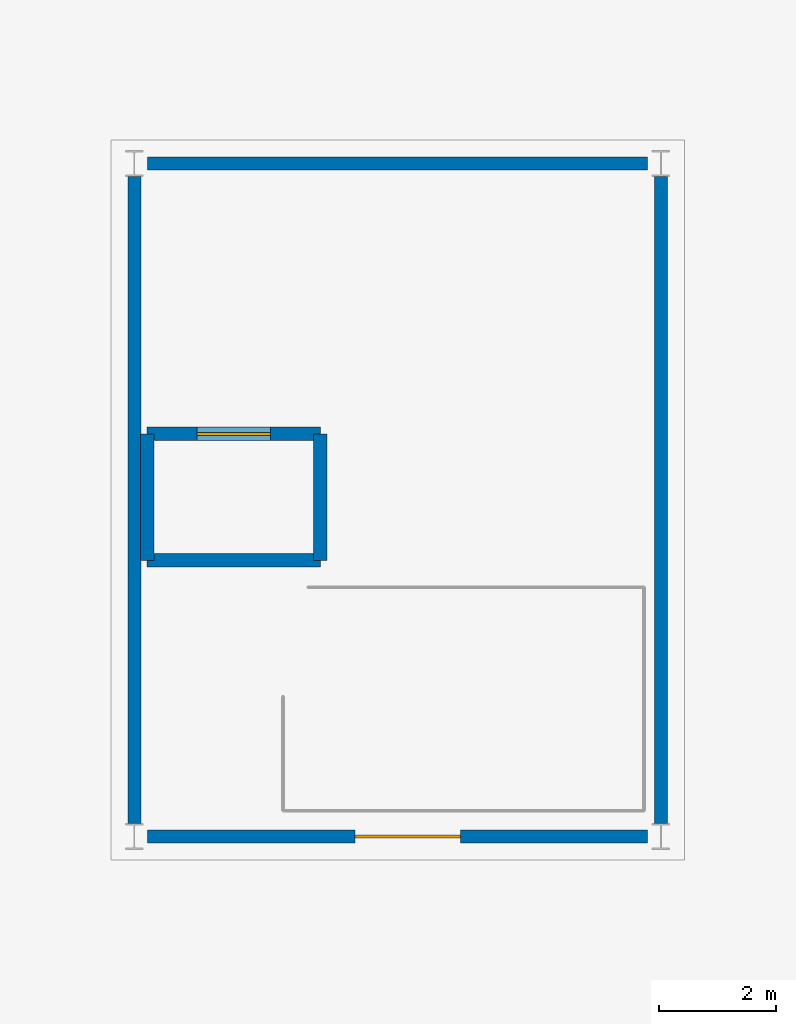
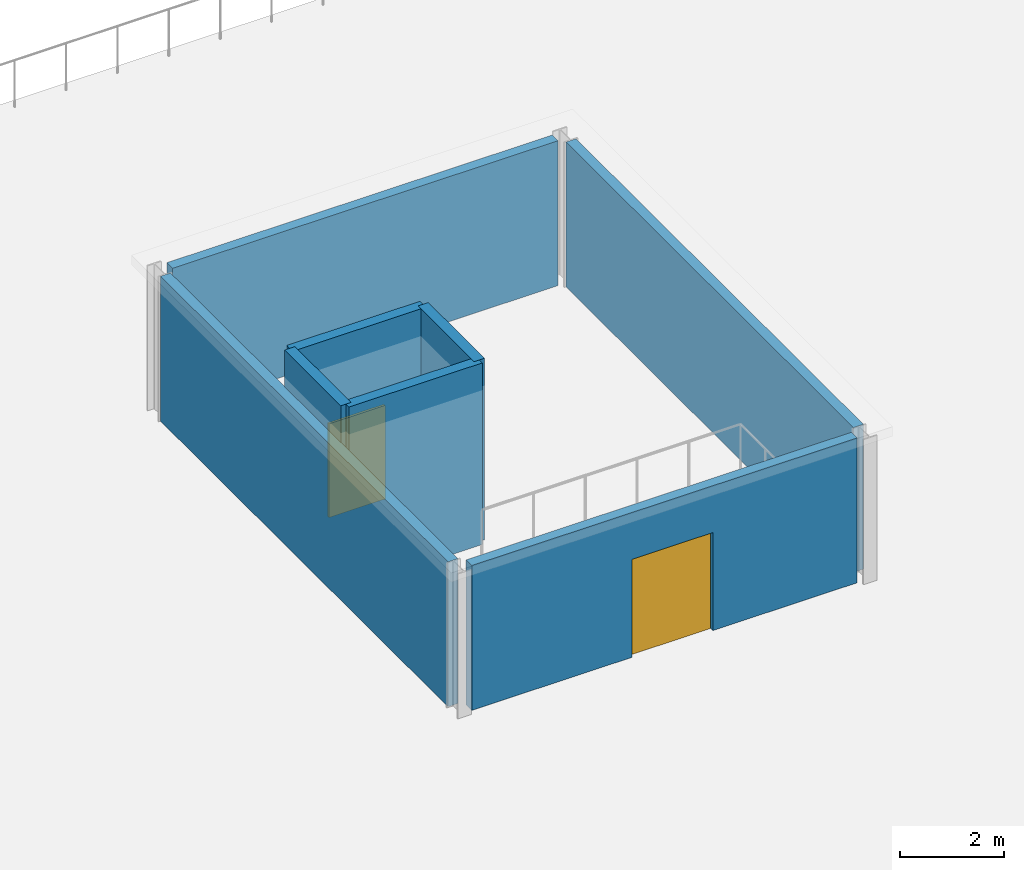
# One storey, part 62 of 105: 8 walls, 2 doors, 2 openings.
"""IFC4 building model written with IfcOpenShell, lengths in metres."""

from ifc_helpers import new_model, si_unit, direction, frame, frame_2d, origin, place, context, subcontext, project, spatial, rectangle, extrude, material, layer, layer_set, type_object, element, fill, save


model = new_model("IFC4")

# Units and contexts
model_context = context("Model", 3, precision=1e-05, world=origin(), true_north=direction((0.0, 1.0)))
body_context = subcontext(model_context, "Body", "Model", "MODEL_VIEW")
ifc_project = project(units=[si_unit("LENGTHUNIT", "METRE"), si_unit("AREAUNIT", "SQUARE_METRE"), si_unit("VOLUMEUNIT", "CUBIC_METRE"), si_unit("PLANEANGLEUNIT", "RADIAN"), si_unit("MASSUNIT", "GRAM", prefix="KILO")], contexts=[model_context])

# Site, building, storey
site_placement = place(None, origin())
site = spatial("IfcSite", under=ifc_project, at=site_placement, CompositionType="ELEMENT")
building_placement = place(site_placement, origin())
building = spatial("IfcBuilding", under=site, at=building_placement, Name="Marlcrest Central Station", CompositionType="ELEMENT")
storey_placement = place(building_placement, frame((0.0, 0.0, 15.0)))
storey = spatial("IfcBuildingStorey", under=building, at=storey_placement, Name="L03", CompositionType="ELEMENT", Elevation=15.0)

# Wall, opening, door
ifc_material_1 = material(Name="Precast concrete C40/50", Category="concrete")
ifc_layer_1 = layer(ifc_material_1, 0.219970703125, Name="EW-05")
ifc_layer_set_1 = layer_set([ifc_layer_1], Name="Precast concrete C40/50")
wall_type_1 = type_object("IfcWallType", Name="EW-05", PredefinedType="SOLIDWALL", material=ifc_layer_set_1)
wall_1_placement = place(storey_placement, frame((179.77490234375, 11.0, 0.0), z_axis=(0.0, 0.0, 1.0), x_axis=(-1.0, 0.0, 0.0)))
wall_1 = element("IfcWall", 1, at=wall_1_placement, inside=storey, type_object=wall_type_1, Name="ewall-L03-0090", PredefinedType="SOLIDWALL", context=body_context, shape_type="SweptSolid", body=[
    extrude(rectangle(XDim=8.5498046875, YDim=0.219970703125, at=frame_2d((4.27490234375, 0.0))), origin(), (0.0, 0.0, 1.0), 3.39990234375),
])
opening_1_placement = place(wall_1_placement, frame((3.199951171875, 0.0, 0.0)))
opening_1 = element("IfcOpeningElement", 2, at=opening_1_placement, cuts=wall_1, Name="Opening ED-03", PredefinedType="OPENING", context=body_context, shape_type="SweptSolid", body=[
    extrude(rectangle(XDim=1.800048828125, YDim=2.300048828125, at=frame_2d((0.89990234375, 1.14990234375))), frame((0.0, 0.119873046875, 0.0), z_axis=(0.0, -1.0, 0.0), x_axis=(1.0, 0.0, 0.0)), (0.0, 0.0, 1.0), 0.239990234375),
])
ifc_material_2 = material(Name="Thermally broken anodised aluminium and laminated safety glass", Category="aluminium")
door_type_1 = type_object("IfcDoorType", Name="ED-03", OperationType="DOUBLE_DOOR_SINGLE_SWING", PredefinedType="DOOR", material=ifc_material_2)
door_1_placement = place(opening_1_placement, origin())
door_1 = element("IfcDoor", 3, at=door_1_placement, inside=storey, type_object=door_type_1, Name="Planted Dining Terrace Access Door 030", OperationType="DOUBLE_DOOR_SINGLE_SWING", OverallHeight=2.300048828125, OverallWidth=1.800048828125, PredefinedType="DOOR", context=body_context, shape_type="SweptSolid", body=[
    extrude(rectangle(XDim=1.800048828125, YDim=2.300048828125, at=frame_2d((0.89990234375, 1.14990234375))), frame((0.0, 0.02490234375, 0.0), z_axis=(0.0, -1.0, 0.0), x_axis=(1.0, 0.0, 0.0)), (0.0, 0.0, 1.0), 0.050048828125),
])
fill(opening_1, door_1)

# Walls
wall_2_placement = place(storey_placement, frame((171.0, 11.22509765625, 0.0), z_axis=(0.0, 0.0, 1.0), x_axis=(0.0, 1.0, 0.0)))
element("IfcWall", 4, at=wall_2_placement, inside=storey, type_object=wall_type_1, Name="ewall-L03-0091", PredefinedType="SOLIDWALL", context=body_context, shape_type="SweptSolid", body=[
    extrude(rectangle(XDim=11.0498046875, YDim=0.219970703125, at=frame_2d((5.52490234375, 0.0))), origin(), (0.0, 0.0, 1.0), 3.39990234375),
])
wall_3_placement = place(storey_placement, frame((171.22509765625, 22.5, 0.0), z_axis=(0.0, 0.0, 1.0), x_axis=(1.0, 0.0, 0.0)))
element("IfcWall", 5, at=wall_3_placement, inside=storey, type_object=wall_type_1, Name="ewall-L03-0092", PredefinedType="SOLIDWALL", context=body_context, shape_type="SweptSolid", body=[
    extrude(rectangle(XDim=8.5498046875, YDim=0.219970703125, at=frame_2d((4.27490234375, 0.0))), origin(), (0.0, 0.0, 1.0), 3.39990234375),
])
wall_4_placement = place(storey_placement, frame((180.0, 22.27490234375, 0.0), z_axis=(0.0, 0.0, 1.0), x_axis=(0.0, -1.0, 0.0)))
element("IfcWall", 6, at=wall_4_placement, inside=storey, type_object=wall_type_1, Name="ewall-L03-0093", PredefinedType="SOLIDWALL", context=body_context, shape_type="SweptSolid", body=[
    extrude(rectangle(XDim=11.0498046875, YDim=0.219970703125, at=frame_2d((5.52490234375, 0.0))), origin(), (0.0, 0.0, 1.0), 3.39990234375),
])

# Wall, opening, door
ifc_material_3 = material(Name="Concrete C40/50", Category="concrete")
ifc_layer_2 = layer(ifc_material_3, 0.22998046875, Name="SHW-01")
ifc_layer_set_2 = layer_set([ifc_layer_2], Name="Concrete C40/50")
wall_type_2 = type_object("IfcWallType", Name="SHW-01", PredefinedType="SOLIDWALL", material=ifc_layer_set_2)
wall_5_placement = place(storey_placement, frame((171.219970703125, 17.8798828125, 0.0), z_axis=(0.0, 0.0, 1.0), x_axis=(1.0, 0.0, 0.0)))
wall_5 = element("IfcWall", 7, at=wall_5_placement, inside=storey, type_object=wall_type_2, Name="iwall-L03-00327", PredefinedType="SOLIDWALL", context=body_context, shape_type="SweptSolid", body=[
    extrude(rectangle(XDim=2.9599609375, YDim=0.22998046875, at=frame_2d((1.47998046875, 0.0))), origin(), (0.0, 0.0, 1.0), 4.260009765625),
])
opening_2_placement = place(wall_5_placement, frame((0.85498046875, 0.0, 0.0)))
opening_2 = element("IfcOpeningElement", 8, at=opening_2_placement, cuts=wall_5, Name="Opening LD-02", PredefinedType="OPENING", context=body_context, shape_type="SweptSolid", body=[
    extrude(rectangle(XDim=1.25, YDim=2.199951171875, at=frame_2d((0.625, 1.10009765625))), frame((0.0, 0.125, 0.0), z_axis=(0.0, -1.0, 0.0), x_axis=(1.0, 0.0, 0.0)), (0.0, 0.0, 1.0), 0.25),
])
ifc_material_4 = material(Name="Stainless steel stretcher/firefighting lift landing door", Category="steel")
door_type_2 = type_object("IfcDoorType", Name="LD-02", OperationType="DOUBLE_DOOR_SLIDING", PredefinedType="DOOR", material=ifc_material_4)
door_2_placement = place(opening_2_placement, origin())
door_2 = element("IfcDoor", 9, at=door_2_placement, inside=storey, type_object=door_type_2, Name="LF-R1 Lift Landing Door 0152", OperationType="DOUBLE_DOOR_SLIDING", OverallHeight=2.199951171875, OverallWidth=1.25, PredefinedType="DOOR", context=body_context, shape_type="SweptSolid", body=[
    extrude(rectangle(XDim=1.25, YDim=2.199951171875, at=frame_2d((0.625, 1.10009765625))), frame((0.0, 0.02490234375, 0.0), z_axis=(0.0, -1.0, 0.0), x_axis=(1.0, 0.0, 0.0)), (0.0, 0.0, 1.0), 0.050048828125),
])
fill(opening_2, door_2)

# Walls
wall_6_placement = place(storey_placement, frame((174.179931640625, 15.719970703125, 0.0), z_axis=(0.0, 0.0, 1.0), x_axis=(-1.0, 0.0, 0.0)))
element("IfcWall", 10, at=wall_6_placement, inside=storey, type_object=wall_type_2, Name="iwall-L03-00328", PredefinedType="SOLIDWALL", context=body_context, shape_type="SweptSolid", body=[
    extrude(rectangle(XDim=2.9599609375, YDim=0.22998046875, at=frame_2d((1.47998046875, 0.0))), origin(), (0.0, 0.0, 1.0), 4.260009765625),
])
for number, where, z_axis, x_axis, name in (
    (11, (171.219970703125, 15.719970703125, 0.0), (0.0, 0.0, 1.0), (0.0, 1.0, 0.0), "iwall-L03-00329"),
    (12, (174.179931640625, 17.8798828125, 0.0), (0.0, 0.0, 1.0), (0.0, -1.0, 0.0), "iwall-L03-00330"),
):
    element("IfcWall", number, at=place(storey_placement, frame(where, z_axis=z_axis, x_axis=x_axis)), inside=storey, type_object=wall_type_2, Name=name, PredefinedType="SOLIDWALL", context=body_context, shape_type="SweptSolid", body=[
        extrude(rectangle(XDim=2.159912109375, YDim=0.22998046875, at=frame_2d((1.080078125, 0.0))), origin(), (0.0, 0.0, 1.0), 4.260009765625),
    ])

save(model, "model.ifc")
